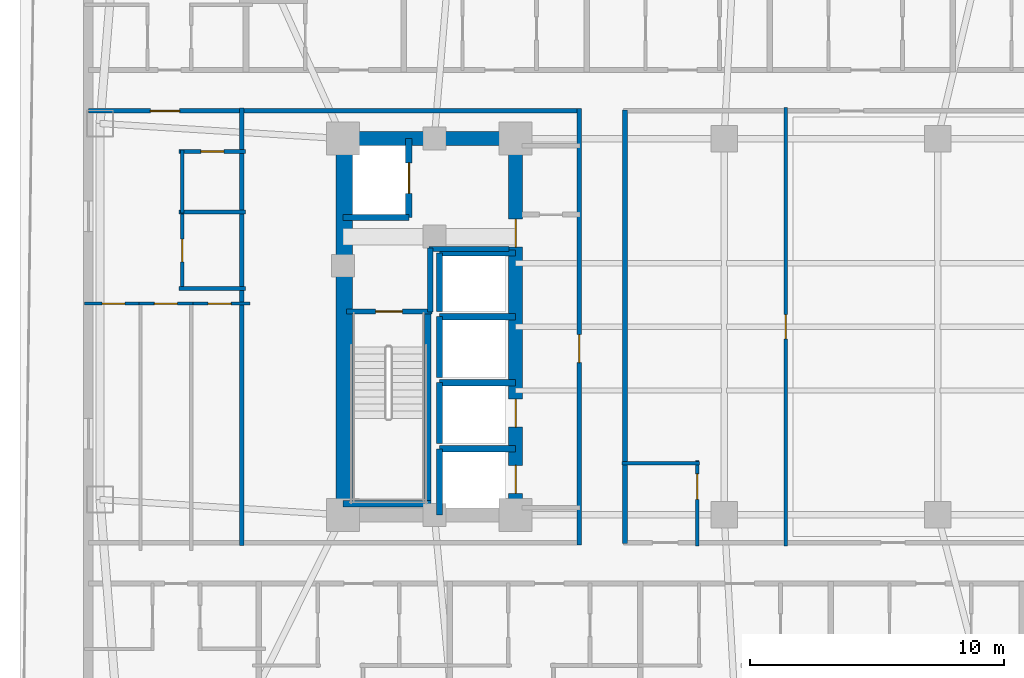
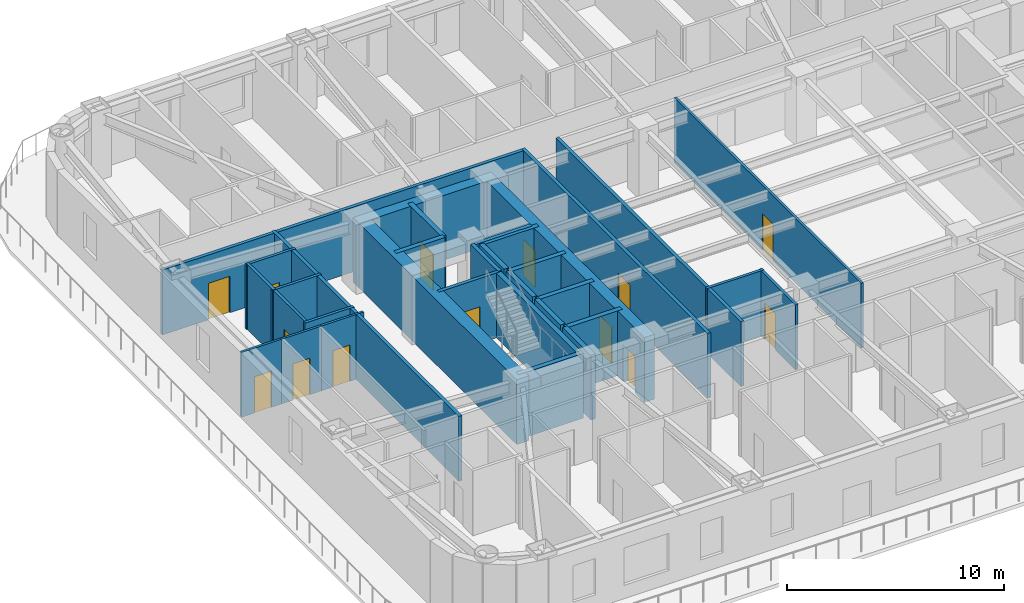
# One storey, part 4 of 16: 33 walls, 14 doors, 14 openings.
"""IFC4 building model written with IfcOpenShell, lengths in metres."""

from ifc_helpers import new_model, si_unit, direction, frame, frame_2d, origin, place, context, subcontext, project, spatial, rectangle, extrude, material, layer, layer_set, type_object, element, fill, save


model = new_model("IFC4")

# Units and contexts
model_context = context("Model", 3, precision=1e-05, world=origin(), true_north=direction((0.0, 1.0)))
body_context = subcontext(model_context, "Body", "Model", "MODEL_VIEW")
ifc_project = project(units=[si_unit("LENGTHUNIT", "METRE"), si_unit("AREAUNIT", "SQUARE_METRE"), si_unit("VOLUMEUNIT", "CUBIC_METRE"), si_unit("PLANEANGLEUNIT", "RADIAN"), si_unit("MASSUNIT", "GRAM", prefix="KILO")], contexts=[model_context])

# Site, building, storey
site_placement = place(None, origin())
site = spatial("IfcSite", under=ifc_project, at=site_placement, CompositionType="ELEMENT")
building_placement = place(site_placement, origin())
building = spatial("IfcBuilding", under=site, at=building_placement, Name="Voryun Gate Residences", CompositionType="ELEMENT")
storey_placement = place(building_placement, frame((0.0, 0.0, 113.10009765625)))
storey = spatial("IfcBuildingStorey", under=building, at=storey_placement, Name="L27", CompositionType="ELEMENT", Elevation=113.10009765625)

# Wall
ifc_material_1 = material(Name="Concrete C60/75", Category="concrete")
ifc_layer_1 = layer(ifc_material_1, 0.550048828125, Name="CW_CORE_550")
ifc_layer_set_1 = layer_set([ifc_layer_1], Name="Concrete C60/75")
wall_type_1 = type_object("IfcWallType", Name="CW_CORE_550", PredefinedType="SHEAR", material=ifc_layer_set_1)
wall_1_placement = place(storey_placement, frame((-19.47509765625, 7.39990234375, 0.0), z_axis=(0.0, 0.0, 1.0), x_axis=(1.0, 0.0, 0.0)))
element("IfcWall", 1, at=wall_1_placement, inside=storey, type_object=wall_type_1, Name="L27 Core shear wall CW-L27-WN", PredefinedType="SHEAR", context=body_context, shape_type="SweptSolid", body=[
    extrude(rectangle(XDim=7.35009765625, YDim=0.550048828125, at=frame_2d((3.675048828125, 0.0))), origin(), (0.0, 0.0, 1.0), 3.64990234375),
])

# Wall, openings, doors
wall_2_placement = place(storey_placement, frame((-12.39990234375, -7.39990234375, 0.0), z_axis=(0.0, 0.0, 1.0), x_axis=(0.0, 1.0, 0.0)))
wall_2 = element("IfcWall", 2, at=wall_2_placement, inside=storey, type_object=wall_type_1, Name="L27 Core shear wall CW-L27-WE", PredefinedType="SHEAR", context=body_context, shape_type="SweptSolid", body=[
    extrude(rectangle(XDim=14.7998046875, YDim=0.550048828125, at=frame_2d((7.39990234375, 0.0))), origin(), (0.0, 0.0, 1.0), 3.64990234375),
])
opening_1_placement = place(wall_2_placement, frame((0.85009765625, 0.0, 0.0)))
opening_1 = element("IfcOpeningElement", 3, at=opening_1_placement, cuts=wall_2, Name="Opening LD2", PredefinedType="OPENING", context=body_context, shape_type="SweptSolid", body=[
    extrude(rectangle(XDim=1.10009765625, YDim=2.050048828125, at=frame_2d((0.550048828125, 1.02490234375))), frame((0.0, 0.284912109375, 0.0), z_axis=(0.0, -1.0, 0.0), x_axis=(1.0, 0.0, 0.0)), (0.0, 0.0, 1.0), 0.570068359375),
])
opening_2_placement = place(wall_2_placement, frame((3.449951171875, 0.0, 0.0)))
opening_2 = element("IfcOpeningElement", 4, at=opening_2_placement, cuts=wall_2, Name="Opening LD2", PredefinedType="OPENING", context=body_context, shape_type="SweptSolid", body=[
    extrude(rectangle(XDim=1.10009765625, YDim=2.050048828125, at=frame_2d((0.550048828125, 1.02490234375))), frame((0.0, 0.284912109375, 0.0), z_axis=(0.0, -1.0, 0.0), x_axis=(1.0, 0.0, 0.0)), (0.0, 0.0, 1.0), 0.570068359375),
])
opening_3_placement = place(wall_2_placement, frame((10.530029296875, 0.0, 0.0)))
opening_3 = element("IfcOpeningElement", 5, at=opening_3_placement, cuts=wall_2, Name="Opening D-FD60-2", PredefinedType="OPENING", context=body_context, shape_type="SweptSolid", body=[
    extrude(rectangle(XDim=1.10009765625, YDim=2.050048828125, at=frame_2d((0.550048828125, 1.02490234375))), frame((0.0, 0.284912109375, 0.0), z_axis=(0.0, -1.0, 0.0), x_axis=(1.0, 0.0, 0.0)), (0.0, 0.0, 1.0), 0.570068359375),
])
ifc_material_2 = material(Name="Painted steel fire door", Category="steel")
door_type_1 = type_object("IfcDoorType", Name="DR_FD60_FFLOB_1100", OperationType="NOTDEFINED", PredefinedType="DOOR", material=ifc_material_2)
door_1_placement = place(opening_3_placement, origin())
door_1 = element("IfcDoor", 6, at=door_1_placement, inside=storey, type_object=door_type_1, Name="Door DR-L27-CLOB-W", OperationType="SINGLE_SWING_LEFT", OverallHeight=2.050048828125, OverallWidth=1.10009765625, PredefinedType="DOOR", context=body_context, shape_type="SweptSolid", body=[
    extrude(rectangle(XDim=1.10009765625, YDim=2.050048828125, at=frame_2d((0.550048828125, 1.02490234375))), frame((0.0, 0.02490234375, 0.0), z_axis=(0.0, -1.0, 0.0), x_axis=(1.0, 0.0, 0.0)), (0.0, 0.0, 1.0), 0.050048828125),
])
fill(opening_3, door_1)
ifc_material_3 = material(Name="Anodised aluminium", Category="aluminium")
door_type_2 = type_object("IfcDoorType", Name="DR_LD_PASS_1100", OperationType="NOTDEFINED", PredefinedType="DOOR", material=ifc_material_3)
door_2_placement = place(opening_1_placement, origin())
door_2 = element("IfcDoor", 7, at=door_2_placement, inside=storey, type_object=door_type_2, Name="Lift EL-P1 sliding landing door L27", OperationType="SLIDING_TO_LEFT", OverallHeight=2.050048828125, OverallWidth=1.10009765625, PredefinedType="DOOR", context=body_context, shape_type="SweptSolid", body=[
    extrude(rectangle(XDim=1.10009765625, YDim=2.050048828125, at=frame_2d((0.550048828125, 1.02490234375))), frame((0.0, 0.02490234375, 0.0), z_axis=(0.0, -1.0, 0.0), x_axis=(1.0, 0.0, 0.0)), (0.0, 0.0, 1.0), 0.050048828125),
])
fill(opening_1, door_2)
door_3_placement = place(opening_2_placement, origin())
door_3 = element("IfcDoor", 8, at=door_3_placement, inside=storey, type_object=door_type_2, Name="Lift EL-P2 sliding landing door L27", OperationType="SLIDING_TO_LEFT", OverallHeight=2.050048828125, OverallWidth=1.10009765625, PredefinedType="DOOR", context=body_context, shape_type="SweptSolid", body=[
    extrude(rectangle(XDim=1.10009765625, YDim=2.050048828125, at=frame_2d((0.550048828125, 1.02490234375))), frame((0.0, 0.02490234375, 0.0), z_axis=(0.0, -1.0, 0.0), x_axis=(1.0, 0.0, 0.0)), (0.0, 0.0, 1.0), 0.050048828125),
])
fill(opening_2, door_3)

# Wall
ifc_material_4 = material(Name="Concrete C60/75", Category="concrete")
ifc_layer_2 = layer(ifc_material_4, 0.64990234375, Name="CW_CORE_650")
ifc_layer_set_2 = layer_set([ifc_layer_2], Name="Concrete C60/75")
wall_type_2 = type_object("IfcWallType", Name="CW_CORE_650", PredefinedType="SHEAR", material=ifc_layer_set_2)
wall_3_placement = place(storey_placement, frame((-19.14501953125, -7.39990234375, 0.0), z_axis=(0.0, 0.0, 1.0), x_axis=(0.0, 1.0, 0.0)))
element("IfcWall", 9, at=wall_3_placement, inside=storey, type_object=wall_type_2, Name="L27 Core shear wall CW-L27-WW", PredefinedType="SHEAR", context=body_context, shape_type="SweptSolid", body=[
    extrude(rectangle(XDim=14.7998046875, YDim=0.64990234375, at=frame_2d((7.39990234375, 0.0))), origin(), (0.0, 0.0, 1.0), 3.64990234375),
])

# Wall, opening, door
ifc_material_5 = material(Name="Gypsum acoustic fireboard")
ifc_layer_3 = layer(ifc_material_5, 0.179931640625, Name="W_CORR_RATED_180")
ifc_layer_set_3 = layer_set([ifc_layer_3], Name="Gypsum acoustic fireboard")
wall_type_3 = type_object("IfcWallType", Name="W_CORR_RATED_180", PredefinedType="PARTITIONING", material=ifc_layer_set_3)
wall_4_placement = place(storey_placement, frame((-19.06005859375, 0.60009765625, 0.0), z_axis=(0.0, 0.0, 1.0), x_axis=(1.0, 0.0, 0.0)))
wall_4 = element("IfcWall", 10, at=wall_4_placement, inside=storey, type_object=wall_type_3, Name="Partition wall WP-L27-STV-W", PredefinedType="PARTITIONING", context=body_context, shape_type="SweptSolid", body=[
    extrude(rectangle(XDim=3.360107421875, YDim=0.179931640625, at=frame_2d((1.68017578125, 0.0))), origin(), (0.0, 0.0, 1.0), 3.64990234375),
])
opening_4_placement = place(wall_4_placement, frame((1.155029296875, 0.0, 0.0)))
opening_4 = element("IfcOpeningElement", 11, at=opening_4_placement, cuts=wall_4, Name="Opening D-FD60-1", PredefinedType="OPENING", context=body_context, shape_type="SweptSolid", body=[
    extrude(rectangle(XDim=1.050048828125, YDim=2.050048828125, at=frame_2d((0.52490234375, 1.02490234375))), frame((0.0, 0.099853515625, 0.0), z_axis=(0.0, -1.0, 0.0), x_axis=(1.0, 0.0, 0.0)), (0.0, 0.0, 1.0), 0.199951171875),
])
ifc_material_6 = material(Name="Painted steel fire door", Category="steel")
door_type_3 = type_object("IfcDoorType", Name="DR_FD60_STAIR_1050", OperationType="NOTDEFINED", PredefinedType="DOOR", material=ifc_material_6)
door_4_placement = place(opening_4_placement, origin())
door_4 = element("IfcDoor", 12, at=door_4_placement, inside=storey, type_object=door_type_3, Name="Door DR-L27-ST-W", OperationType="SINGLE_SWING_LEFT", OverallHeight=2.050048828125, OverallWidth=1.050048828125, PredefinedType="DOOR", context=body_context, shape_type="SweptSolid", body=[
    extrude(rectangle(XDim=1.050048828125, YDim=2.050048828125, at=frame_2d((0.52490234375, 1.02490234375))), frame((0.0, 0.02490234375, 0.0), z_axis=(0.0, -1.0, 0.0), x_axis=(1.0, 0.0, 0.0)), (0.0, 0.0, 1.0), 0.050048828125),
])
fill(opening_4, door_4)

wall_5_placement = place(storey_placement, frame((-9.89990234375, -8.580078125, 0.0), z_axis=(0.0, 0.0, 1.0), x_axis=(0.0, 1.0, 0.0)))
wall_5 = element("IfcWall", 13, at=wall_5_placement, inside=storey, type_object=wall_type_3, Name="Partition wall WP-L27-PLBW-FULL", PredefinedType="PARTITIONING", context=body_context, shape_type="SweptSolid", body=[
    extrude(rectangle(XDim=17.16015625, YDim=0.179931640625, at=frame_2d((8.580078125, 0.0))), origin(), (0.0, 0.0, 1.0), 3.64990234375),
])
opening_5_placement = place(wall_5_placement, frame((7.172119140625, 0.0, 0.0)))
opening_5 = element("IfcOpeningElement", 14, at=opening_5_placement, cuts=wall_5, Name="Opening D-FD60-2", PredefinedType="OPENING", context=body_context, shape_type="SweptSolid", body=[
    extrude(rectangle(XDim=1.10009765625, YDim=2.050048828125, at=frame_2d((0.550048828125, 1.02490234375))), frame((0.0, 0.099853515625, 0.0), z_axis=(0.0, -1.0, 0.0), x_axis=(1.0, 0.0, 0.0)), (0.0, 0.0, 1.0), 0.199951171875),
])
door_5_placement = place(opening_5_placement, origin())
door_5 = element("IfcDoor", 15, at=door_5_placement, inside=storey, type_object=door_type_1, Name="Door DR-L27-PLBW-COR", OperationType="SINGLE_SWING_LEFT", OverallHeight=2.050048828125, OverallWidth=1.10009765625, PredefinedType="DOOR", context=body_context, shape_type="SweptSolid", body=[
    extrude(rectangle(XDim=1.10009765625, YDim=2.050048828125, at=frame_2d((0.550048828125, 1.02490234375))), frame((0.0, 0.02490234375, 0.0), z_axis=(0.0, -1.0, 0.0), x_axis=(1.0, 0.0, 0.0)), (0.0, 0.0, 1.0), 0.050048828125),
])
fill(opening_5, door_5)

wall_6_placement = place(storey_placement, frame((-29.2099609375, 8.489990234375, 0.0), z_axis=(0.0, 0.0, 1.0), x_axis=(1.0, 0.0, 0.0)))
wall_6 = element("IfcWall", 16, at=wall_6_placement, inside=storey, type_object=wall_type_3, Name="Partition wall WP-L27-CWING-WN", PredefinedType="PARTITIONING", context=body_context, shape_type="SweptSolid", body=[
    extrude(rectangle(XDim=19.330078125, YDim=0.179931640625, at=frame_2d((9.6650390625, 0.0))), origin(), (0.0, 0.0, 1.0), 3.64990234375),
])
opening_6_placement = place(wall_6_placement, frame((2.4404296875, 0.0, 0.0)))
opening_6 = element("IfcOpeningElement", 17, at=opening_6_placement, cuts=wall_6, Name="Opening D-UNIT-1", PredefinedType="OPENING", context=body_context, shape_type="SweptSolid", body=[
    extrude(rectangle(XDim=1.14990234375, YDim=2.050048828125, at=frame_2d((0.574951171875, 1.02490234375))), frame((0.0, 0.099853515625, 0.0), z_axis=(0.0, -1.0, 0.0), x_axis=(1.0, 0.0, 0.0)), (0.0, 0.0, 1.0), 0.199951171875),
])
ifc_material_7 = material(Name="Armoured timber-clad fire door", Category="wood")
door_type_4 = type_object("IfcDoorType", Name="DR_UNIT_ENTRY_1150", OperationType="NOTDEFINED", PredefinedType="DOOR", material=ifc_material_7)
door_6_placement = place(opening_6_placement, origin())
door_6 = element("IfcDoor", 18, at=door_6_placement, inside=storey, type_object=door_type_4, Name="Door DR-L27-WE1N", OperationType="SINGLE_SWING_LEFT", OverallHeight=2.050048828125, OverallWidth=1.14990234375, PredefinedType="DOOR", context=body_context, shape_type="SweptSolid", body=[
    extrude(rectangle(XDim=1.14990234375, YDim=2.050048828125, at=frame_2d((0.574951171875, 1.02490234375))), frame((0.0, 0.02490234375, 0.0), z_axis=(0.0, -1.0, 0.0), x_axis=(1.0, 0.0, 0.0)), (0.0, 0.0, 1.0), 0.050048828125),
])
fill(opening_6, door_6)

# Walls
wall_7_placement = place(storey_placement, frame((-8.10009765625, -8.530029296875, 0.0), z_axis=(0.0, 0.0, 1.0), x_axis=(0.0, 1.0, 0.0)))
element("IfcWall", 19, at=wall_7_placement, inside=storey, type_object=wall_type_3, Name="Partition wall WP-L27-Z1W", PredefinedType="PARTITIONING", context=body_context, shape_type="SweptSolid", body=[
    extrude(rectangle(XDim=17.06005859375, YDim=0.179931640625, at=frame_2d((8.530029296875, 0.0))), origin(), (0.0, 0.0, 1.0), 3.64990234375),
])
wall_8_placement = place(storey_placement, frame((-23.169921875, -8.610107421875, 0.0), z_axis=(0.0, 0.0, 1.0), x_axis=(0.0, 1.0, 0.0)))
element("IfcWall", 20, at=wall_8_placement, inside=storey, type_object=wall_type_3, Name="Partition wall WP-L27-WCOR", PredefinedType="PARTITIONING", context=body_context, shape_type="SweptSolid", body=[
    extrude(rectangle(XDim=17.22021484375, YDim=0.179931640625, at=frame_2d((8.610107421875, 0.0))), origin(), (0.0, 0.0, 1.0), 3.64990234375),
])
ifc_material_8 = material(Name="Concrete C40/50", Category="concrete")
ifc_layer_4 = layer(ifc_material_8, 0.199951171875, Name="W_FF_LOBBY_200")
ifc_layer_set_4 = layer_set([ifc_layer_4], Name="Concrete C40/50")
wall_type_4 = type_object("IfcWallType", Name="W_FF_LOBBY_200", PredefinedType="PARTITIONING", material=ifc_layer_set_4)
wall_9_placement = place(storey_placement, frame((-15.760009765625, 0.580078125, 0.0), z_axis=(0.0, 0.0, 1.0), x_axis=(0.0, 1.0, 0.0)))
element("IfcWall", 21, at=wall_9_placement, inside=storey, type_object=wall_type_4, Name="Partition wall WP-L27-FFP0-W", PredefinedType="PARTITIONING", context=body_context, shape_type="SweptSolid", body=[
    extrude(rectangle(XDim=2.52001953125, YDim=0.199951171875, at=frame_2d((1.260009765625, 0.0))), origin(), (0.0, 0.0, 1.0), 3.64990234375),
])
wall_10_placement = place(storey_placement, frame((-15.820068359375, 3.06005859375, 0.0), z_axis=(0.0, 0.0, 1.0), x_axis=(1.0, 0.0, 0.0)))
element("IfcWall", 22, at=wall_10_placement, inside=storey, type_object=wall_type_4, Name="Partition wall WP-L27-FFPS-W", PredefinedType="PARTITIONING", context=body_context, shape_type="SweptSolid", body=[
    extrude(rectangle(XDim=3.16015625, YDim=0.199951171875, at=frame_2d((1.580078125, 0.0))), origin(), (0.0, 0.0, 1.0), 3.64990234375),
])
ifc_material_9 = material(Name="Concrete C50/60", Category="concrete")
ifc_layer_5 = layer(ifc_material_9, 0.25, Name="W_SHAFT_RC250")
ifc_layer_set_5 = layer_set([ifc_layer_5], Name="Concrete C50/60")
wall_type_5 = type_object("IfcWallType", Name="W_SHAFT_RC250", PredefinedType="SOLIDWALL", material=ifc_layer_set_5)
wall_11_placement = place(storey_placement, frame((-15.860107421875, -7.0849609375, 0.0), z_axis=(0.0, 0.0, 1.0), x_axis=(0.0, 1.0, 0.0)))
element("IfcWall", 23, at=wall_11_placement, inside=storey, type_object=wall_type_5, Name="L27 Stair shaft structural wall W-STR", PredefinedType="SOLIDWALL", context=body_context, shape_type="SweptSolid", body=[
    extrude(rectangle(XDim=7.68505859375, YDim=0.25, at=frame_2d((3.842529296875, 0.0))), origin(), (0.0, 0.0, 1.0), 3.64990234375),
])
wall_12_placement = place(storey_placement, frame((-19.199951171875, -6.965087890625, 0.0), z_axis=(0.0, 0.0, 1.0), x_axis=(1.0, 0.0, 0.0)))
element("IfcWall", 24, at=wall_12_placement, inside=storey, type_object=wall_type_5, Name="L27 Stair shaft structural wall W-STS", PredefinedType="SOLIDWALL", context=body_context, shape_type="SweptSolid", body=[
    extrude(rectangle(XDim=3.4599609375, YDim=0.25, at=frame_2d((1.72998046875, 0.0))), origin(), (0.0, 0.0, 1.0), 3.64990234375),
])
wall_13_placement = place(storey_placement, frame((-19.199951171875, 4.300048828125, 0.0), z_axis=(0.0, 0.0, 1.0), x_axis=(1.0, 0.0, 0.0)))
element("IfcWall", 25, at=wall_13_placement, inside=storey, type_object=wall_type_5, Name="Lift shaft wall WSH-L27-EL-FF-W1-S", PredefinedType="SOLIDWALL", context=body_context, shape_type="SweptSolid", body=[
    extrude(rectangle(XDim=2.599853515625, YDim=0.25, at=frame_2d((1.2998046875, 0.0))), origin(), (0.0, 0.0, 1.0), 3.64990234375),
])

# Wall, opening, door
wall_14_placement = place(storey_placement, frame((-16.60009765625, 4.300048828125, 0.0), z_axis=(0.0, 0.0, 1.0), x_axis=(0.0, 1.0, 0.0)))
wall_14 = element("IfcWall", 26, at=wall_14_placement, inside=storey, type_object=wall_type_5, Name="Lift shaft wall WSH-L27-EL-FF-W1-E", PredefinedType="SOLIDWALL", context=body_context, shape_type="SweptSolid", body=[
    extrude(rectangle(XDim=3.099853515625, YDim=0.25, at=frame_2d((1.5498046875, 0.0))), origin(), (0.0, 0.0, 1.0), 3.64990234375),
])
opening_7_placement = place(wall_14_placement, frame((0.949951171875, 0.0, 0.0)))
opening_7 = element("IfcOpeningElement", 27, at=opening_7_placement, cuts=wall_14, Name="Opening LD1", PredefinedType="OPENING", context=body_context, shape_type="SweptSolid", body=[
    extrude(rectangle(XDim=1.199951171875, YDim=2.050048828125, at=frame_2d((0.60009765625, 1.02490234375))), frame((0.0, 0.135009765625, 0.0), z_axis=(0.0, -1.0, 0.0), x_axis=(1.0, 0.0, 0.0)), (0.0, 0.0, 1.0), 0.27001953125),
])
ifc_material_10 = material(Name="Anodised aluminium", Category="aluminium")
door_type_5 = type_object("IfcDoorType", Name="DR_LD_FF_1200", OperationType="NOTDEFINED", PredefinedType="DOOR", material=ifc_material_10)
door_7_placement = place(opening_7_placement, origin())
door_7 = element("IfcDoor", 28, at=door_7_placement, inside=storey, type_object=door_type_5, Name="Lift EL-FF-W1 sliding landing door L27", OperationType="SLIDING_TO_LEFT", OverallHeight=2.050048828125, OverallWidth=1.199951171875, PredefinedType="DOOR", context=body_context, shape_type="SweptSolid", body=[
    extrude(rectangle(XDim=1.199951171875, YDim=2.050048828125, at=frame_2d((0.60009765625, 1.02490234375))), frame((0.0, 0.02490234375, 0.0), z_axis=(0.0, -1.0, 0.0), x_axis=(1.0, 0.0, 0.0)), (0.0, 0.0, 1.0), 0.050048828125),
])
fill(opening_7, door_7)

# Walls
wall_15_placement = place(storey_placement, frame((-12.39990234375, -4.800048828125, 0.0), z_axis=(0.0, 0.0, 1.0), x_axis=(-1.0, 0.0, 0.0)))
element("IfcWall", 29, at=wall_15_placement, inside=storey, type_object=wall_type_5, Name="Lift shaft wall WSH-L27-EL-P1-N", PredefinedType="SOLIDWALL", context=body_context, shape_type="SweptSolid", body=[
    extrude(rectangle(XDim=3.0, YDim=0.25, at=frame_2d((1.5, 0.0))), origin(), (0.0, 0.0, 1.0), 3.64990234375),
])
wall_16_placement = place(storey_placement, frame((-15.39990234375, -4.800048828125, 0.0), z_axis=(0.0, 0.0, 1.0), x_axis=(0.0, -1.0, 0.0)))
element("IfcWall", 30, at=wall_16_placement, inside=storey, type_object=wall_type_5, Name="Lift shaft wall WSH-L27-EL-P1-W", PredefinedType="SOLIDWALL", context=body_context, shape_type="SweptSolid", body=[
    extrude(rectangle(XDim=2.599853515625, YDim=0.25, at=frame_2d((1.2998046875, 0.0))), origin(), (0.0, 0.0, 1.0), 3.64990234375),
])
wall_17_placement = place(storey_placement, frame((-12.39990234375, -2.199951171875, 0.0), z_axis=(0.0, 0.0, 1.0), x_axis=(-1.0, 0.0, 0.0)))
element("IfcWall", 31, at=wall_17_placement, inside=storey, type_object=wall_type_5, Name="Lift shaft wall WSH-L27-EL-P2-N", PredefinedType="SOLIDWALL", context=body_context, shape_type="SweptSolid", body=[
    extrude(rectangle(XDim=3.0, YDim=0.25, at=frame_2d((1.5, 0.0))), origin(), (0.0, 0.0, 1.0), 3.64990234375),
])
wall_18_placement = place(storey_placement, frame((-15.39990234375, -2.199951171875, 0.0), z_axis=(0.0, 0.0, 1.0), x_axis=(0.0, -1.0, 0.0)))
element("IfcWall", 32, at=wall_18_placement, inside=storey, type_object=wall_type_5, Name="Lift shaft wall WSH-L27-EL-P2-W", PredefinedType="SOLIDWALL", context=body_context, shape_type="SweptSolid", body=[
    extrude(rectangle(XDim=2.400146484375, YDim=0.25, at=frame_2d((1.2001953125, 0.0))), origin(), (0.0, 0.0, 1.0), 3.64990234375),
])
wall_19_placement = place(storey_placement, frame((-12.39990234375, 0.39990234375, 0.0), z_axis=(0.0, 0.0, 1.0), x_axis=(-1.0, 0.0, 0.0)))
element("IfcWall", 33, at=wall_19_placement, inside=storey, type_object=wall_type_5, Name="Lift shaft wall WSH-L27-EL-P4-N", PredefinedType="SOLIDWALL", context=body_context, shape_type="SweptSolid", body=[
    extrude(rectangle(XDim=3.0, YDim=0.25, at=frame_2d((1.5, 0.0))), origin(), (0.0, 0.0, 1.0), 3.64990234375),
])
wall_20_placement = place(storey_placement, frame((-15.39990234375, 0.39990234375, 0.0), z_axis=(0.0, 0.0, 1.0), x_axis=(0.0, -1.0, 0.0)))
element("IfcWall", 34, at=wall_20_placement, inside=storey, type_object=wall_type_5, Name="Lift shaft wall WSH-L27-EL-P4-W", PredefinedType="SOLIDWALL", context=body_context, shape_type="SweptSolid", body=[
    extrude(rectangle(XDim=2.39990234375, YDim=0.25, at=frame_2d((1.199951171875, 0.0))), origin(), (0.0, 0.0, 1.0), 3.64990234375),
])
wall_21_placement = place(storey_placement, frame((-12.39990234375, 2.89990234375, 0.0), z_axis=(0.0, 0.0, 1.0), x_axis=(-1.0, 0.0, 0.0)))
element("IfcWall", 35, at=wall_21_placement, inside=storey, type_object=wall_type_5, Name="Lift shaft wall WSH-L27-EL-P7-N", PredefinedType="SOLIDWALL", context=body_context, shape_type="SweptSolid", body=[
    extrude(rectangle(XDim=3.0, YDim=0.25, at=frame_2d((1.5, 0.0))), origin(), (0.0, 0.0, 1.0), 3.64990234375),
])
wall_22_placement = place(storey_placement, frame((-15.39990234375, 2.89990234375, 0.0), z_axis=(0.0, 0.0, 1.0), x_axis=(0.0, -1.0, 0.0)))
element("IfcWall", 36, at=wall_22_placement, inside=storey, type_object=wall_type_5, Name="Lift shaft wall WSH-L27-EL-P7-W", PredefinedType="SOLIDWALL", context=body_context, shape_type="SweptSolid", body=[
    extrude(rectangle(XDim=2.2998046875, YDim=0.25, at=frame_2d((1.14990234375, 0.0))), origin(), (0.0, 0.0, 1.0), 3.64990234375),
])

# Wall, opening, door
ifc_material_11 = material(Name="Gypsum acoustic partition")
ifc_layer_6 = layer(ifc_material_11, 0.125, Name="W_UNIT_PART_125")
ifc_layer_set_6 = layer_set([ifc_layer_6], Name="Gypsum acoustic partition")
wall_type_6 = type_object("IfcWallType", Name="W_UNIT_PART_125", PredefinedType="PARTITIONING", material=ifc_layer_set_6)
wall_23_placement = place(storey_placement, frame((-1.77294921875, -8.6201171875, 0.0), z_axis=(0.0, 0.0, 1.0), x_axis=(0.0, 1.0, 0.0)))
wall_23 = element("IfcWall", 37, at=wall_23_placement, inside=storey, type_object=wall_type_6, Name="Partition wall WP-L27-MIDX-0", PredefinedType="PARTITIONING", context=body_context, shape_type="SweptSolid", body=[
    extrude(rectangle(XDim=17.240234375, YDim=0.125, at=frame_2d((8.6201171875, 0.0))), origin(), (0.0, 0.0, 1.0), 3.64990234375),
])
opening_8_placement = place(wall_23_placement, frame((8.14501953125, 0.0, 0.0)))
opening_8 = element("IfcOpeningElement", 38, at=opening_8_placement, cuts=wall_23, Name="Opening D-INT-1", PredefinedType="OPENING", context=body_context, shape_type="SweptSolid", body=[
    extrude(rectangle(XDim=0.949951171875, YDim=2.050048828125, at=frame_2d((0.47509765625, 1.02490234375))), frame((0.0, 0.072509765625, 0.0), z_axis=(0.0, -1.0, 0.0), x_axis=(1.0, 0.0, 0.0)), (0.0, 0.0, 1.0), 0.14501953125),
])
ifc_material_12 = material(Name="Architectural oak veneer")
door_type_6 = type_object("IfcDoorType", Name="DR_INT_ROOM_950", OperationType="NOTDEFINED", PredefinedType="DOOR", material=ifc_material_12)
door_8_placement = place(opening_8_placement, origin())
door_8 = element("IfcDoor", 39, at=door_8_placement, inside=storey, type_object=door_type_6, Name="Door DR-L27-MIDX-0", OperationType="SINGLE_SWING_LEFT", OverallHeight=2.050048828125, OverallWidth=0.949951171875, PredefinedType="DOOR", context=body_context, shape_type="SweptSolid", body=[
    extrude(rectangle(XDim=0.949951171875, YDim=2.050048828125, at=frame_2d((0.47509765625, 1.02490234375))), frame((0.0, 0.02490234375, 0.0), z_axis=(0.0, -1.0, 0.0), x_axis=(1.0, 0.0, 0.0)), (0.0, 0.0, 1.0), 0.050048828125),
])
fill(opening_8, door_8)

wall_24_placement = place(storey_placement, frame((-29.360107421875, 0.909912109375, 0.0), z_axis=(0.0, 0.0, 1.0), x_axis=(1.0, 0.0, 0.0)))
wall_24 = element("IfcWall", 40, at=wall_24_placement, inside=storey, type_object=wall_type_6, Name="Partition wall WP-L27-W1-HZMB1", PredefinedType="PARTITIONING", context=body_context, shape_type="SweptSolid", body=[
    extrude(rectangle(XDim=2.26171875, YDim=0.125, at=frame_2d((1.130859375, 0.0))), origin(), (0.0, 0.0, 1.0), 3.64990234375),
])
opening_9_placement = place(wall_24_placement, frame((0.689453125, 0.0, 0.0)))
opening_9 = element("IfcOpeningElement", 41, at=opening_9_placement, cuts=wall_24, Name="Opening D-INT-2", PredefinedType="OPENING", context=body_context, shape_type="SweptSolid", body=[
    extrude(rectangle(XDim=0.89990234375, YDim=2.050048828125, at=frame_2d((0.449951171875, 1.02490234375))), frame((0.0, 0.072509765625, 0.0), z_axis=(0.0, -1.0, 0.0), x_axis=(1.0, 0.0, 0.0)), (0.0, 0.0, 1.0), 0.14501953125),
])
ifc_material_13 = material(Name="Architectural oak veneer")
door_type_7 = type_object("IfcDoorType", Name="DR_INT_BATH_900", OperationType="NOTDEFINED", PredefinedType="DOOR", material=ifc_material_13)
door_9_placement = place(opening_9_placement, origin())
door_9 = element("IfcDoor", 42, at=door_9_placement, inside=storey, type_object=door_type_7, Name="Door DR-L27-W1-DMB", OperationType="SINGLE_SWING_LEFT", OverallHeight=2.050048828125, OverallWidth=0.89990234375, PredefinedType="DOOR", context=body_context, shape_type="SweptSolid", body=[
    extrude(rectangle(XDim=0.89990234375, YDim=2.050048828125, at=frame_2d((0.449951171875, 1.02490234375))), frame((0.0, 0.02490234375, 0.0), z_axis=(0.0, -1.0, 0.0), x_axis=(1.0, 0.0, 0.0)), (0.0, 0.0, 1.0), 0.050048828125),
])
fill(opening_9, door_9)

wall_25_placement = place(storey_placement, frame((-27.223388671875, 0.909912109375, 0.0), z_axis=(0.0, 0.0, 1.0), x_axis=(1.0, 0.0, 0.0)))
wall_25 = element("IfcWall", 43, at=wall_25_placement, inside=storey, type_object=wall_type_6, Name="Partition wall WP-L27-W1-HZMB2", PredefinedType="PARTITIONING", context=body_context, shape_type="SweptSolid", body=[
    extrude(rectangle(XDim=2.119873046875, YDim=0.125, at=frame_2d((1.06005859375, 0.0))), origin(), (0.0, 0.0, 1.0), 3.64990234375),
])
opening_10_placement = place(wall_25_placement, frame((0.610107421875, 0.0, 0.0)))
opening_10 = element("IfcOpeningElement", 44, at=opening_10_placement, cuts=wall_25, Name="Opening D-INT-2", PredefinedType="OPENING", context=body_context, shape_type="SweptSolid", body=[
    extrude(rectangle(XDim=0.89990234375, YDim=2.050048828125, at=frame_2d((0.449951171875, 1.02490234375))), frame((0.0, 0.072509765625, 0.0), z_axis=(0.0, -1.0, 0.0), x_axis=(1.0, 0.0, 0.0)), (0.0, 0.0, 1.0), 0.14501953125),
])
door_10_placement = place(opening_10_placement, origin())
door_10 = element("IfcDoor", 45, at=door_10_placement, inside=storey, type_object=door_type_7, Name="Door DR-L27-W1-DBD2", OperationType="SINGLE_SWING_RIGHT", OverallHeight=2.050048828125, OverallWidth=0.89990234375, PredefinedType="DOOR", context=body_context, shape_type="SweptSolid", body=[
    extrude(rectangle(XDim=0.89990234375, YDim=2.050048828125, at=frame_2d((0.449951171875, 1.02490234375))), frame((0.0, 0.02490234375, 0.0), z_axis=(0.0, -1.0, 0.0), x_axis=(1.0, 0.0, 0.0)), (0.0, 0.0, 1.0), 0.050048828125),
])
fill(opening_10, door_10)

wall_26_placement = place(storey_placement, frame((-25.228515625, 0.909912109375, 0.0), z_axis=(0.0, 0.0, 1.0), x_axis=(1.0, 0.0, 0.0)))
wall_26 = element("IfcWall", 46, at=wall_26_placement, inside=storey, type_object=wall_type_6, Name="Partition wall WP-L27-W1-HZMB3", PredefinedType="PARTITIONING", context=body_context, shape_type="SweptSolid", body=[
    extrude(rectangle(XDim=2.37841796875, YDim=0.125, at=frame_2d((1.189208984375, 0.0))), origin(), (0.0, 0.0, 1.0), 3.64990234375),
])
opening_11_placement = place(wall_26_placement, frame((0.73046875, 0.0, 0.0)))
opening_11 = element("IfcOpeningElement", 47, at=opening_11_placement, cuts=wall_26, Name="Opening D-INT-2", PredefinedType="OPENING", context=body_context, shape_type="SweptSolid", body=[
    extrude(rectangle(XDim=0.89990234375, YDim=2.050048828125, at=frame_2d((0.449951171875, 1.02490234375))), frame((0.0, 0.072509765625, 0.0), z_axis=(0.0, -1.0, 0.0), x_axis=(1.0, 0.0, 0.0)), (0.0, 0.0, 1.0), 0.14501953125),
])
door_11_placement = place(opening_11_placement, origin())
door_11 = element("IfcDoor", 48, at=door_11_placement, inside=storey, type_object=door_type_7, Name="Door DR-L27-W1-DBD3", OperationType="SINGLE_SWING_LEFT", OverallHeight=2.050048828125, OverallWidth=0.89990234375, PredefinedType="DOOR", context=body_context, shape_type="SweptSolid", body=[
    extrude(rectangle(XDim=0.89990234375, YDim=2.050048828125, at=frame_2d((0.449951171875, 1.02490234375))), frame((0.0, 0.02490234375, 0.0), z_axis=(0.0, -1.0, 0.0), x_axis=(1.0, 0.0, 0.0)), (0.0, 0.0, 1.0), 0.050048828125),
])
fill(opening_11, door_11)

ifc_material_14 = material(Name="Gypsum moisture-resistant partition")
ifc_layer_7 = layer(ifc_material_14, 0.14990234375, Name="W_WET_PLUMB_150")
ifc_layer_set_7 = layer_set([ifc_layer_7], Name="Gypsum moisture-resistant partition")
wall_type_7 = type_object("IfcWallType", Name="W_WET_PLUMB_150", PredefinedType="PLUMBINGWALL", material=ifc_layer_set_7)
wall_27_placement = place(storey_placement, frame((-5.260009765625, -8.6201171875, 0.0), z_axis=(0.0, 0.0, 1.0), x_axis=(0.0, 1.0, 0.0)))
wall_27 = element("IfcWall", 49, at=wall_27_placement, inside=storey, type_object=wall_type_7, Name="Partition wall WP-L27-CMWCX", PredefinedType="PLUMBINGWALL", context=body_context, shape_type="SweptSolid", body=[
    extrude(rectangle(XDim=3.35009765625, YDim=0.14990234375, at=frame_2d((1.675048828125, 0.0))), origin(), (0.0, 0.0, 1.0), 3.64990234375),
])
opening_12_placement = place(wall_27_placement, frame((1.8349609375, 0.0, 0.0)))
opening_12 = element("IfcOpeningElement", 50, at=opening_12_placement, cuts=wall_27, Name="Opening D-AWC-1", PredefinedType="OPENING", context=body_context, shape_type="SweptSolid", body=[
    extrude(rectangle(XDim=1.0, YDim=2.050048828125, at=frame_2d((0.5, 1.02490234375))), frame((0.0, 0.0849609375, 0.0), z_axis=(0.0, -1.0, 0.0), x_axis=(1.0, 0.0, 0.0)), (0.0, 0.0, 1.0), 0.169921875),
])
ifc_material_15 = material(Name="Architectural oak veneer")
door_type_8 = type_object("IfcDoorType", Name="DR_ACC_WC_1000", OperationType="NOTDEFINED", PredefinedType="DOOR", material=ifc_material_15)
door_12_placement = place(opening_12_placement, origin())
door_12 = element("IfcDoor", 51, at=door_12_placement, inside=storey, type_object=door_type_8, Name="Door DR-L27-CMWC", OperationType="SINGLE_SWING_LEFT", OverallHeight=2.050048828125, OverallWidth=1.0, PredefinedType="DOOR", context=body_context, shape_type="SweptSolid", body=[
    extrude(rectangle(XDim=1.0, YDim=2.050048828125, at=frame_2d((0.5, 1.02490234375))), frame((0.0, 0.02490234375, 0.0), z_axis=(0.0, -1.0, 0.0), x_axis=(1.0, 0.0, 0.0)), (0.0, 0.0, 1.0), 0.050048828125),
])
fill(opening_12, door_12)

# Wall
wall_28_placement = place(storey_placement, frame((-8.2099609375, -5.3701171875, 0.0), z_axis=(0.0, 0.0, 1.0), x_axis=(1.0, 0.0, 0.0)))
element("IfcWall", 52, at=wall_28_placement, inside=storey, type_object=wall_type_7, Name="Partition wall WP-L27-CMWCY", PredefinedType="PLUMBINGWALL", context=body_context, shape_type="SweptSolid", body=[
    extrude(rectangle(XDim=3.050048828125, YDim=0.14990234375, at=frame_2d((1.52490234375, 0.0))), origin(), (0.0, 0.0, 1.0), 3.64990234375),
])

# Wall, opening, door
wall_29_placement = place(storey_placement, frame((-25.639892578125, 6.89990234375, 0.0), z_axis=(0.0, 0.0, 1.0), x_axis=(1.0, 0.0, 0.0)))
wall_29 = element("IfcWall", 53, at=wall_29_placement, inside=storey, type_object=wall_type_7, Name="Partition wall WP-L27-W1-IBT", PredefinedType="PLUMBINGWALL", context=body_context, shape_type="SweptSolid", body=[
    extrude(rectangle(XDim=2.619873046875, YDim=0.14990234375, at=frame_2d((1.31005859375, 0.0))), origin(), (0.0, 0.0, 1.0), 3.64990234375),
])
opening_13_placement = place(wall_29_placement, frame((0.860107421875, 0.0, 0.0)))
opening_13 = element("IfcOpeningElement", 54, at=opening_13_placement, cuts=wall_29, Name="Opening D-INT-2", PredefinedType="OPENING", context=body_context, shape_type="SweptSolid", body=[
    extrude(rectangle(XDim=0.89990234375, YDim=2.050048828125, at=frame_2d((0.449951171875, 1.02490234375))), frame((0.0, 0.0849609375, 0.0), z_axis=(0.0, -1.0, 0.0), x_axis=(1.0, 0.0, 0.0)), (0.0, 0.0, 1.0), 0.169921875),
])
door_13_placement = place(opening_13_placement, origin())
door_13 = element("IfcDoor", 55, at=door_13_placement, inside=storey, type_object=door_type_7, Name="Door DR-L27-W1-DK", OperationType="SINGLE_SWING_LEFT", OverallHeight=2.050048828125, OverallWidth=0.89990234375, PredefinedType="DOOR", context=body_context, shape_type="SweptSolid", body=[
    extrude(rectangle(XDim=0.89990234375, YDim=2.050048828125, at=frame_2d((0.449951171875, 1.02490234375))), frame((0.0, 0.02490234375, 0.0), z_axis=(0.0, -1.0, 0.0), x_axis=(1.0, 0.0, 0.0)), (0.0, 0.0, 1.0), 0.050048828125),
])
fill(opening_13, door_13)

# Walls
for number, where, z_axis, x_axis, name in (
    (56, (-25.639892578125, 4.52001953125, 0.0), (0.0, 0.0, 1.0), (1.0, 0.0, 0.0), "Partition wall WP-L27-W1-IKB"),
    (57, (-25.639892578125, 1.5, 0.0), (0.0, 0.0, 1.0), (1.0, 0.0, 0.0), "Partition wall WP-L27-W1-IBB"),
):
    element("IfcWall", number, at=place(storey_placement, frame(where, z_axis=z_axis, x_axis=x_axis)), inside=storey, type_object=wall_type_7, Name=name, PredefinedType="PLUMBINGWALL", context=body_context, shape_type="SweptSolid", body=[
        extrude(rectangle(XDim=2.619873046875, YDim=0.14990234375, at=frame_2d((1.31005859375, 0.0))), origin(), (0.0, 0.0, 1.0), 3.64990234375),
    ])

# Wall, opening, door
wall_30_placement = place(storey_placement, frame((-25.52001953125, 1.43994140625, 0.0), z_axis=(0.0, 0.0, 1.0), x_axis=(0.0, 1.0, 0.0)))
wall_30 = element("IfcWall", 58, at=wall_30_placement, inside=storey, type_object=wall_type_7, Name="Partition wall WP-L27-W1-VTSK1", PredefinedType="PLUMBINGWALL", context=body_context, shape_type="SweptSolid", body=[
    extrude(rectangle(XDim=3.1201171875, YDim=0.14990234375, at=frame_2d((1.56005859375, 0.0))), origin(), (0.0, 0.0, 1.0), 3.64990234375),
])
opening_14_placement = place(wall_30_placement, frame((1.110107421875, 0.0, 0.0)))
opening_14 = element("IfcOpeningElement", 59, at=opening_14_placement, cuts=wall_30, Name="Opening D-INT-2", PredefinedType="OPENING", context=body_context, shape_type="SweptSolid", body=[
    extrude(rectangle(XDim=0.89990234375, YDim=2.050048828125, at=frame_2d((0.449951171875, 1.02490234375))), frame((0.0, 0.0849609375, 0.0), z_axis=(0.0, -1.0, 0.0), x_axis=(1.0, 0.0, 0.0)), (0.0, 0.0, 1.0), 0.169921875),
])
door_14_placement = place(opening_14_placement, origin())
door_14 = element("IfcDoor", 60, at=door_14_placement, inside=storey, type_object=door_type_7, Name="Door DR-L27-W1-DB", OperationType="SINGLE_SWING_RIGHT", OverallHeight=2.050048828125, OverallWidth=0.89990234375, PredefinedType="DOOR", context=body_context, shape_type="SweptSolid", body=[
    extrude(rectangle(XDim=0.89990234375, YDim=2.050048828125, at=frame_2d((0.449951171875, 1.02490234375))), frame((0.0, 0.02490234375, 0.0), z_axis=(0.0, -1.0, 0.0), x_axis=(1.0, 0.0, 0.0)), (0.0, 0.0, 1.0), 0.050048828125),
])
fill(opening_14, door_14)

# Wall
wall_31_placement = place(storey_placement, frame((-25.52001953125, 4.47998046875, 0.0), z_axis=(0.0, 0.0, 1.0), x_axis=(0.0, 1.0, 0.0)))
element("IfcWall", 61, at=wall_31_placement, inside=storey, type_object=wall_type_7, Name="Partition wall WP-L27-W1-VTSK2", PredefinedType="PLUMBINGWALL", context=body_context, shape_type="SweptSolid", body=[
    extrude(rectangle(XDim=2.47998046875, YDim=0.14990234375, at=frame_2d((1.239990234375, 0.0))), origin(), (0.0, 0.0, 1.0), 3.64990234375),
])

save(model, "model.ifc")
